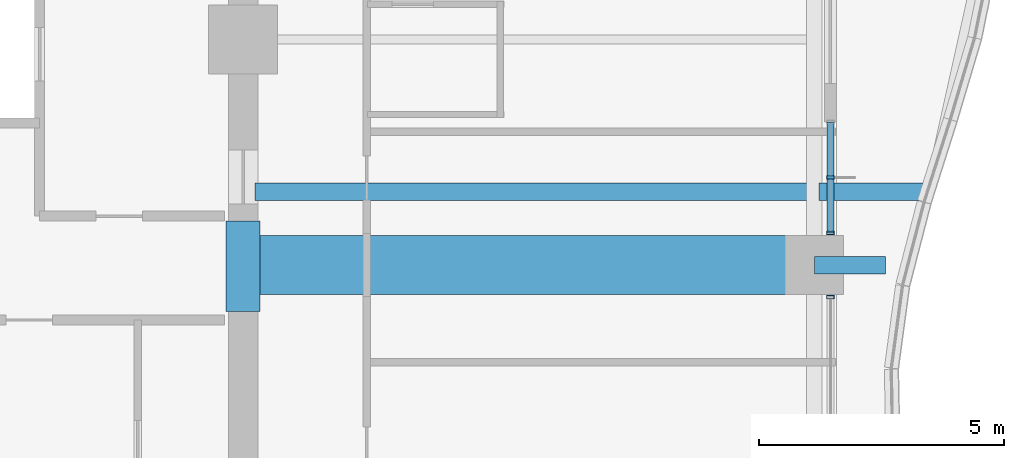
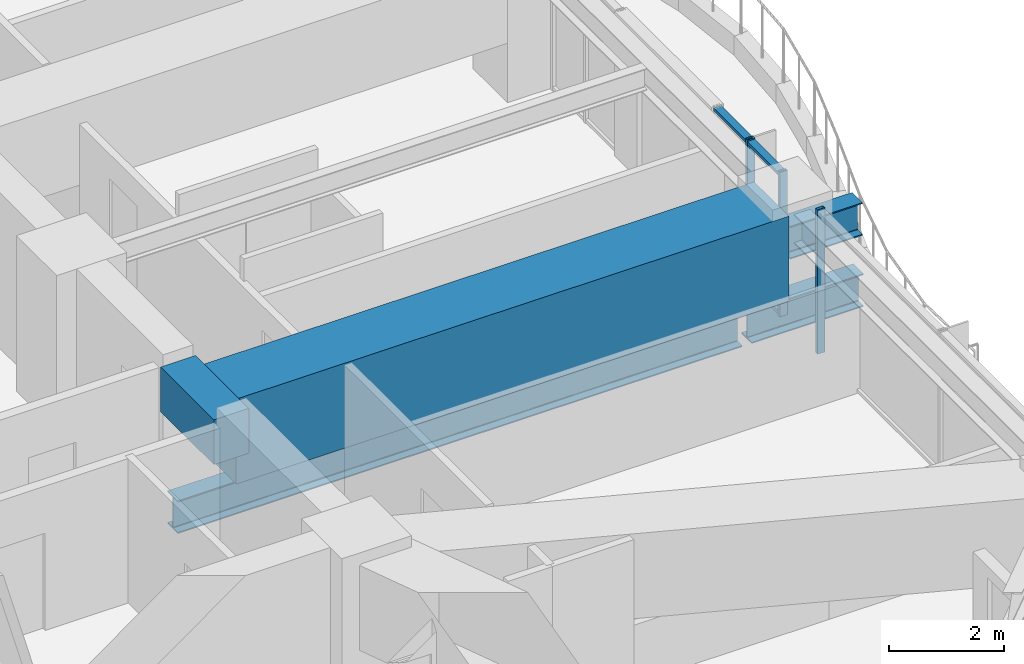
# One storey, part 15 of 39: 5 beams, 5 members, 2 elements without a shape of their own.
"""IFC4 building model written with IfcOpenShell, lengths in metres."""

import ifcopenshell
import ifcopenshell.guid

model = None  # the IFC model being written
_history = None  # IfcOwnerHistory: only IFC2X3 demands one
_inside = {}  # id of a spatial element -> (the spatial element, [elements in it])
_under = {}  # id of a project, library or spatial element -> (it, [spatial elements below it])
_declared = {}  # id of a project -> (the project, [libraries it declares])
_typed = {}  # id of a type object -> (the type object, [elements of that type])
_made_of = {}  # id of a material, layer set ... -> (it, [elements and type objects made of it])


def new_model(schema):
    """Start an empty IFC model of exactly this schema.

    Asked for "IFC4X3", IfcOpenShell would pick the latest addendum, in which some entities
    have other attributes; the version numbers below select the first issue.
    IFC2X3 requires an IfcOwnerHistory on every rooted entity: one is made here for all.
    """
    global model, _history
    if schema == "IFC4X3":
        model = ifcopenshell.file(schema_version=(4, 3, 0, 0))
    else:
        model = ifcopenshell.file(schema=schema)
    _inside.clear()
    _under.clear()
    _declared.clear()
    _typed.clear()
    _made_of.clear()
    _history = None
    if model.schema == "IFC2X3":
        org = make("IfcOrganization", Name="unknown")
        user = make(
            "IfcPersonAndOrganization",
            ThePerson=make("IfcPerson", FamilyName="unknown"),
            TheOrganization=org,
        )
        app = make(
            "IfcApplication",
            ApplicationDeveloper=org,
            Version="unknown",
            ApplicationFullName="unknown",
            ApplicationIdentifier="unknown",
        )
        _history = make(
            "IfcOwnerHistory",
            OwningUser=user,
            OwningApplication=app,
            ChangeAction="ADDED",
            CreationDate=0,
        )
    return model


def make(cls, **values):
    """One entity of the class cls with the attributes given. An attribute that is None is left unset."""
    return model.create_entity(
        cls, **{name: value for name, value in values.items() if value is not None}
    )


def rooted(cls, **values):
    """An entity with a GlobalId (a new one), such as an element, a storey or a relation."""
    return make(cls, GlobalId=ifcopenshell.guid.new(), OwnerHistory=_history, **values)


def si_unit(unit_type, name, prefix=None):
    """IfcSIUnit, for example si_unit("LENGTHUNIT", "METRE", prefix="MILLI")."""
    return make("IfcSIUnit", UnitType=unit_type, Prefix=prefix, Name=name)


def assignment(units):
    """IfcUnitAssignment: the units of a project."""
    return None if units is None else make("IfcUnitAssignment", Units=units)


def point(xyz):
    """IfcCartesianPoint."""
    return None if xyz is None else make("IfcCartesianPoint", Coordinates=xyz)


def direction(xyz):
    """IfcDirection."""
    return None if xyz is None else make("IfcDirection", DirectionRatios=xyz)


def frame(location, z_axis=None, x_axis=None):
    """IfcAxis2Placement3D, a coordinate frame: its origin and axes. An axis left out is left unset."""
    return make(
        "IfcAxis2Placement3D",
        Location=point(location),
        Axis=direction(z_axis),
        RefDirection=direction(x_axis),
    )


def frame_2d(location, x_axis=None):
    """IfcAxis2Placement2D, a coordinate frame in the plane: its origin and x axis."""
    return make(
        "IfcAxis2Placement2D", Location=point(location), RefDirection=direction(x_axis)
    )


def origin():
    """The frame at (0, 0, 0) with its axes left unset."""
    return frame((0.0, 0.0, 0.0))


def origin_2d():
    """The frame at (0, 0) in the plane with its x axis left unset."""
    return frame_2d((0.0, 0.0))


def place(relative_to, where):
    """IfcLocalPlacement: puts the frame where relative to a parent placement (None: the world)."""
    return make(
        "IfcLocalPlacement", PlacementRelTo=relative_to, RelativePlacement=where
    )


def context(
    kind, dimensions, precision=None, world=None, true_north=None, identifier=None
):
    """IfcGeometricRepresentationContext, for example the 3D "Model" context."""
    return make(
        "IfcGeometricRepresentationContext",
        ContextIdentifier=identifier,
        ContextType=kind,
        CoordinateSpaceDimension=dimensions,
        Precision=precision,
        WorldCoordinateSystem=world,
        TrueNorth=true_north,
    )


def subcontext(parent, identifier, kind, view, scale=None):
    """IfcGeometricRepresentationSubContext, for example "Body" below "Model"."""
    return make(
        "IfcGeometricRepresentationSubContext",
        ContextIdentifier=identifier,
        ContextType=kind,
        ParentContext=parent,
        TargetScale=scale,
        TargetView=view,
    )


def project(units=None, contexts=None):
    """IfcProject with its units and contexts."""
    return rooted(
        "IfcProject",
        Name="project",
        RepresentationContexts=contexts,
        UnitsInContext=assignment(units),
    )


def spatial(cls, under=None, at=None, **own):
    """A site, building, storey or space (cls), placed at a placement, below another one or the project."""
    s = rooted(cls, ObjectPlacement=at, **own)
    if under is not None:
        _under.setdefault(under.id(), (under, []))[1].append(s)
    return s


def profile(cls, at=None, kind="AREA", **sizes):
    """A parametric profile (cls). Its sizes go by their IFC names, for example OverallWidth=200.0."""
    return make(cls, ProfileType=kind, Position=at, **sizes)


def rectangle(**sizes):
    """IfcRectangleProfileDef."""
    return profile("IfcRectangleProfileDef", **sizes)


def hollow_rectangle(**sizes):
    """IfcRectangleHollowProfileDef."""
    return profile("IfcRectangleHollowProfileDef", **sizes)


def i_section(**sizes):
    """IfcIShapeProfileDef."""
    return profile("IfcIShapeProfileDef", **sizes)


def extrude(swept, where, along, depth):
    """IfcExtrudedAreaSolid: the profile swept, set in the frame where, extruded along a direction by depth."""
    return make(
        "IfcExtrudedAreaSolid",
        SweptArea=swept,
        Position=where,
        ExtrudedDirection=direction(along),
        Depth=depth,
    )


def shape(context_of_items, identifier, shape_type, items):
    """IfcShapeRepresentation: the items that make up one representation, for example the "Body"."""
    return make(
        "IfcShapeRepresentation",
        ContextOfItems=context_of_items,
        RepresentationIdentifier=identifier,
        RepresentationType=shape_type,
        Items=items,
    )


def material(Name=None, Category=None):
    """IfcMaterial."""
    return make("IfcMaterial", Name=Name, Category=Category)


def material_profile(
    of_material, cross_section, Name=None, Category=None, Priority=None
):
    """IfcMaterialProfile: a cross section and its material."""
    return make(
        "IfcMaterialProfile",
        Name=Name,
        Material=of_material,
        Profile=cross_section,
        Priority=Priority,
        Category=Category,
    )


def profile_set(profiles, Name=None, composite=None):
    """IfcMaterialProfileSet."""
    return make(
        "IfcMaterialProfileSet",
        Name=Name,
        MaterialProfiles=profiles,
        CompositeProfile=composite,
    )


def made_of(thing, what):
    """Note that an element or type object is made of a material, layer set ...; save() writes the relation."""
    if what is not None:
        _made_of.setdefault(what.id(), (what, []))[1].append(thing)
    return thing


def type_object(cls, material=None, **own):
    """A type object (cls), such as IfcWallType, which elements share."""
    return made_of(rooted(cls, **own), material)


def element(
    cls,
    number,
    at=None,
    inside=None,
    cuts=None,
    type_object=None,
    material=None,
    context=None,
    identifier="Body",
    shape_type=None,
    held_by="IfcProductDefinitionShape",
    body=None,
    shapes=None,
    **own,
):
    """One element of the class cls, such as IfcWall. Its Tag is "e" and its number.

    at: its placement. inside: the storey or other place that contains it. cuts: it is an
    opening in that element (IfcRelVoidsElement). A single representation is given by context,
    identifier, shape_type and body (its items); several are given by shapes. held_by: the class
    of the entity that holds the representations. save() writes the other relations.
    """
    e = rooted(cls, Tag="e%d" % number, ObjectPlacement=at, **own)
    if body is not None:
        shapes = [shape(context, identifier, shape_type, body)]
    if shapes is not None:
        e.Representation = make(held_by, Representations=shapes)
    if inside is not None:
        _inside.setdefault(inside.id(), (inside, []))[1].append(e)
    if cuts is not None:
        rooted(
            "IfcRelVoidsElement", RelatingBuildingElement=cuts, RelatedOpeningElement=e
        )
    if type_object is not None:
        _typed.setdefault(type_object.id(), (type_object, []))[1].append(e)
    return made_of(e, material)


def aggregate(whole, parts):
    """IfcRelAggregates: a whole, such as a stair, and the parts it consists of."""
    return rooted("IfcRelAggregates", RelatingObject=whole, RelatedObjects=parts)


def save(model, path):
    """Write the relations noted so far, then the file.

    IfcRelAggregates (storeys below a building ...), IfcRelContainedInSpatialStructure (elements
    in a storey), IfcRelDefinesByType, IfcRelAssociatesMaterial and IfcRelDeclares: one each for
    every whole, place, type object, material and project.
    """
    for whole, parts in _under.values():
        aggregate(whole, parts)
    for where, things in _inside.values():
        rooted(
            "IfcRelContainedInSpatialStructure",
            RelatedElements=things,
            RelatingStructure=where,
        )
    for kind, things in _typed.values():
        rooted("IfcRelDefinesByType", RelatedObjects=things, RelatingType=kind)
    for what, things in _made_of.values():
        rooted("IfcRelAssociatesMaterial", RelatedObjects=things, RelatingMaterial=what)
    for by, libraries in _declared.values():
        rooted("IfcRelDeclares", RelatingContext=by, RelatedDefinitions=libraries)
    model.write(path)


model = new_model("IFC4")

# Units and contexts
model_context = context("Model", 3, precision=1e-05, world=origin(), true_north=direction((0.0, 1.0)))
body_context = subcontext(model_context, "Body", "Model", "MODEL_VIEW")
ifc_project = project(units=[si_unit("LENGTHUNIT", "METRE"), si_unit("AREAUNIT", "SQUARE_METRE"), si_unit("VOLUMEUNIT", "CUBIC_METRE"), si_unit("PLANEANGLEUNIT", "RADIAN"), si_unit("MASSUNIT", "GRAM", prefix="KILO")], contexts=[model_context])

# Site, building, storey
site_placement = place(None, origin())
site = spatial("IfcSite", under=ifc_project, at=site_placement, CompositionType="ELEMENT")
building_placement = place(site_placement, origin())
building = spatial("IfcBuilding", under=site, at=building_placement, Name="Kolvaren Belvedere", CompositionType="ELEMENT")
storey_placement = place(building_placement, frame((0.0, 0.0, 40.300048828125)))
storey = spatial("IfcBuildingStorey", under=building, at=storey_placement, Name="L11", CompositionType="ELEMENT", Elevation=40.300048828125)

# Beams
ifc_material_1 = material(Name="Structural steel ASTM A992 Grade 50", Category="steel")
ifc_material_profile_1 = material_profile(ifc_material_1, i_section(OverallWidth=0.35498046875, OverallDepth=0.696044921875, WebThickness=0.015380859375, FlangeThickness=0.02490234375, FilletRadius=0.02197265625, at=origin_2d()), Name="W27X146")
ifc_profile_set_1 = profile_set([ifc_material_profile_1], Name="Structural steel ASTM A992 Grade 50")
beam_type_1 = type_object("IfcBeamType", Name="BM-CANT-BAL", PredefinedType="BEAM", material=ifc_profile_set_1)
beam_1_placement = place(storey_placement, frame((21.64501953125, -3.10009765625, -0.588134765625), z_axis=(1.0, 0.0, 0.0), x_axis=(0.0, 1.0, 0.0)))
element("IfcBeam", 1, at=beam_1_placement, inside=storey, type_object=beam_type_1, Name="L11 Planted Balcony Cantilever BAL-E-1", PredefinedType="BEAM", context=body_context, shape_type="SweptSolid", body=[
    extrude(i_section(OverallWidth=0.35498046875, OverallDepth=0.696044921875, WebThickness=0.015380859375, FlangeThickness=0.02490234375, FilletRadius=0.02197265625, at=origin_2d()), origin(), (0.0, 0.0, 1.0), 2.239990234375),
])
beam_2_placement = place(storey_placement, frame((21.550048828125, -4.60009765625, 2.141845703125), z_axis=(1.0, 0.0, 0.0), x_axis=(0.0, 1.0, 0.0)))
element("IfcBeam", 2, at=beam_2_placement, inside=storey, type_object=beam_type_1, Name="L11 East Picture-Frame Column Corbel M", PredefinedType="BEAM", context=body_context, shape_type="SweptSolid", body=[
    extrude(i_section(OverallWidth=0.35498046875, OverallDepth=0.696044921875, WebThickness=0.015380859375, FlangeThickness=0.02490234375, FilletRadius=0.02197265625, at=origin_2d()), origin(), (0.0, 0.0, 1.0), 1.449951171875),
])
ifc_material_2 = material(Name="Structural steel ASTM A992 Grade 50", Category="steel")
ifc_material_profile_2 = material_profile(ifc_material_2, i_section(OverallWidth=0.35498046875, OverallDepth=0.696044921875, WebThickness=0.015380859375, FlangeThickness=0.02490234375, FilletRadius=0.02197265625, at=origin_2d()), Name="W27X146")
ifc_profile_set_2 = profile_set([ifc_material_profile_2], Name="Structural steel ASTM A992 Grade 50")
beam_type_2 = type_object("IfcBeamType", Name="BM-GIRD-W27X146", PredefinedType="BEAM", material=ifc_profile_set_2)
beam_3_placement = place(storey_placement, frame((10.139892578125, -3.10009765625, -0.588134765625), z_axis=(1.0, 0.0, 0.0), x_axis=(0.0, 1.0, 0.0)))
element("IfcBeam", 3, at=beam_3_placement, inside=storey, type_object=beam_type_2, Name="L11 Balcony Interior Back-Span Girder BAL-E-1", PredefinedType="BEAM", context=body_context, shape_type="SweptSolid", body=[
    extrude(i_section(OverallWidth=0.35498046875, OverallDepth=0.696044921875, WebThickness=0.015380859375, FlangeThickness=0.02490234375, FilletRadius=0.02197265625, at=origin_2d()), origin(), (0.0, 0.0, 1.0), 11.315185546875),
])
ifc_material_3 = material(Name="Concrete C60/75", Category="concrete")
ifc_material_profile_3 = material_profile(ifc_material_3, rectangle(XDim=0.699951171875, YDim=0.949951171875, at=origin_2d()), Name="RC 700X950")
ifc_profile_set_3 = profile_set([ifc_material_profile_3], Name="Concrete C60/75")
beam_type_3 = type_object("IfcBeamType", Name="BM-LINT-950", PredefinedType="LINTEL", material=ifc_profile_set_3)
beam_4_placement = place(storey_placement, frame((9.89990234375, -5.550048828125, 2.5849609375), z_axis=(0.0, 1.0, 0.0), x_axis=(-1.0, 0.0, 0.0)))
element("IfcBeam", 4, at=beam_4_placement, inside=storey, type_object=beam_type_3, Name="L11 East Core Coupling Lintel", PredefinedType="LINTEL", context=body_context, shape_type="SweptSolid", body=[
    extrude(rectangle(XDim=0.699951171875, YDim=0.949951171875, at=origin_2d()), origin(), (0.0, 0.0, 1.0), 1.85009765625),
])
ifc_material_4 = material(Name="Concrete C50/60", Category="concrete")
ifc_material_profile_4 = material_profile(ifc_material_4, rectangle(XDim=1.199951171875, YDim=1.800048828125, at=origin_2d()), Name="RC 1200X1800")
ifc_profile_set_4 = profile_set([ifc_material_profile_4], Name="Concrete C50/60")
beam_type_4 = type_object("IfcBeamType", Name="BM-TG-1800", PredefinedType="BEAM", material=ifc_profile_set_4)
beam_5_placement = place(storey_placement, frame((10.199951171875, -4.60009765625, 2.159912109375), z_axis=(1.0, 0.0, 0.0), x_axis=(0.0, 1.0, 0.0)))
element("IfcBeam", 5, at=beam_5_placement, inside=storey, type_object=beam_type_4, Name="L11 East Radial Girder M", PredefinedType="BEAM", context=body_context, shape_type="SweptSolid", body=[
    extrude(rectangle(XDim=1.199951171875, YDim=1.800048828125, at=origin_2d()), origin(), (0.0, 0.0, 1.0), 11.080078125),
])

# Curtain wall, members
ifc_material_5 = material(Name="Anodised pale-metal aluminium AA 6063-T6", Category="aluminium")
curtain_wall_type = type_object("IfcCurtainWallType", Name="CW-Z1-LOW", PredefinedType="NOTDEFINED", material=ifc_material_5)
curtain_wall_1_placement = place(storey_placement, origin())
curtain_wall_1 = element("IfcCurtainWall", 6, at=curtain_wall_1_placement, inside=storey, type_object=curtain_wall_type, Name="L11 Unitised Curtain Wall FCW-L11-E2-B1", PredefinedType="NOTDEFINED")
ifc_material_6 = material(Name="Anodised pale-metal aluminium AA 6063-T6", Category="aluminium")
ifc_material_profile_5 = material_profile(ifc_material_6, hollow_rectangle(XDim=0.070068359375, YDim=0.14990234375, WallThickness=0.004150390625, at=origin_2d()), Name="ALU-MUL-150X70")
ifc_profile_set_5 = profile_set([ifc_material_profile_5], Name="Anodised pale-metal aluminium AA 6063-T6")
member_type_1 = type_object("IfcMemberType", Name="CW-MUL-150", PredefinedType="MULLION", material=ifc_profile_set_5)
member_1_placement = place(storey_placement, frame((21.8798828125, -2.8125, 0.0), z_axis=(0.0, 0.0, 1.0), x_axis=(0.0, 1.0, 0.0)))
member_1 = element("IfcMember", 7, at=member_1_placement, type_object=member_type_1, Name="FCW-L11-E2-B1 Unitised Mullion 2", PredefinedType="MULLION", context=body_context, shape_type="SweptSolid", body=[
    extrude(hollow_rectangle(XDim=0.070068359375, YDim=0.14990234375, WallThickness=0.004150390625, at=origin_2d()), origin(), (0.0, 0.0, 1.0), 3.06005859375),
])
member_2_placement = place(storey_placement, frame((21.8798828125, -3.945068359375, 0.0), z_axis=(0.0, 0.0, 1.0), x_axis=(0.0, 1.0, 0.0)))
member_2 = element("IfcMember", 8, at=member_2_placement, type_object=member_type_1, Name="FCW-L11-E2-B1 Unitised Mullion 3", PredefinedType="MULLION", context=body_context, shape_type="SweptSolid", body=[
    extrude(hollow_rectangle(XDim=0.070068359375, YDim=0.14990234375, WallThickness=0.004150390625, at=origin_2d()), origin(), (0.0, 0.0, 1.0), 3.06005859375),
])

# Curtain wall, member
curtain_wall_2_placement = place(storey_placement, origin())
curtain_wall_2 = element("IfcCurtainWall", 9, at=curtain_wall_2_placement, inside=storey, type_object=curtain_wall_type, Name="L11 Unitised Curtain Wall FCW-L11-E2-B2", PredefinedType="NOTDEFINED")
member_3_placement = place(storey_placement, frame((21.8798828125, -5.2548828125, 0.0), z_axis=(0.0, 0.0, 1.0), x_axis=(0.0, 1.0, 0.0)))
member_3 = element("IfcMember", 10, at=member_3_placement, type_object=member_type_1, Name="FCW-L11-E2-B2 Unitised Mullion 1", PredefinedType="MULLION", context=body_context, shape_type="SweptSolid", body=[
    extrude(hollow_rectangle(XDim=0.070068359375, YDim=0.14990234375, WallThickness=0.004150390625, at=origin_2d()), origin(), (0.0, 0.0, 1.0), 3.06005859375),
])
aggregate(curtain_wall_2, [member_3])

# Member
ifc_material_7 = material(Name="Anodised pale-metal aluminium AA 6063-T6", Category="aluminium")
ifc_material_profile_6 = material_profile(ifc_material_7, hollow_rectangle(XDim=0.06494140625, YDim=0.14990234375, WallThickness=0.00390625, at=origin_2d()), Name="ALU-TRN-150X65")
ifc_profile_set_6 = profile_set([ifc_material_profile_6], Name="Anodised pale-metal aluminium AA 6063-T6")
member_type_2 = type_object("IfcMemberType", Name="CW-TRN-150", PredefinedType="USERDEFINED", material=ifc_profile_set_6)
member_4_placement = place(storey_placement, frame((21.8798828125, -1.679931640625, 0.06005859375), z_axis=(0.0, -1.0, 0.0), x_axis=(0.0, 0.0, 1.0)))
member_4 = element("IfcMember", 11, at=member_4_placement, type_object=member_type_2, Name="FCW-L11-E2-B1 Sill Transom", ObjectType="TRANSOM", PredefinedType="USERDEFINED", context=body_context, shape_type="SweptSolid", body=[
    extrude(hollow_rectangle(XDim=0.06494140625, YDim=0.14990234375, WallThickness=0.00390625, at=origin_2d()), origin(), (0.0, 0.0, 1.0), 2.26513671875),
])

member_5_placement = place(storey_placement, frame((21.8798828125, -1.679931640625, 3.0), z_axis=(0.0, -1.0, 0.0), x_axis=(0.0, 0.0, 1.0)))
member_5 = element("IfcMember", 12, at=member_5_placement, type_object=member_type_2, Name="FCW-L11-E2-B1 Head Transom", ObjectType="TRANSOM", PredefinedType="USERDEFINED", context=body_context, shape_type="SweptSolid", body=[
    extrude(hollow_rectangle(XDim=0.06494140625, YDim=0.14990234375, WallThickness=0.00390625, at=origin_2d()), origin(), (0.0, 0.0, 1.0), 2.26513671875),
])

aggregate(curtain_wall_1, [member_1, member_2, member_4, member_5])

save(model, "model.ifc")
